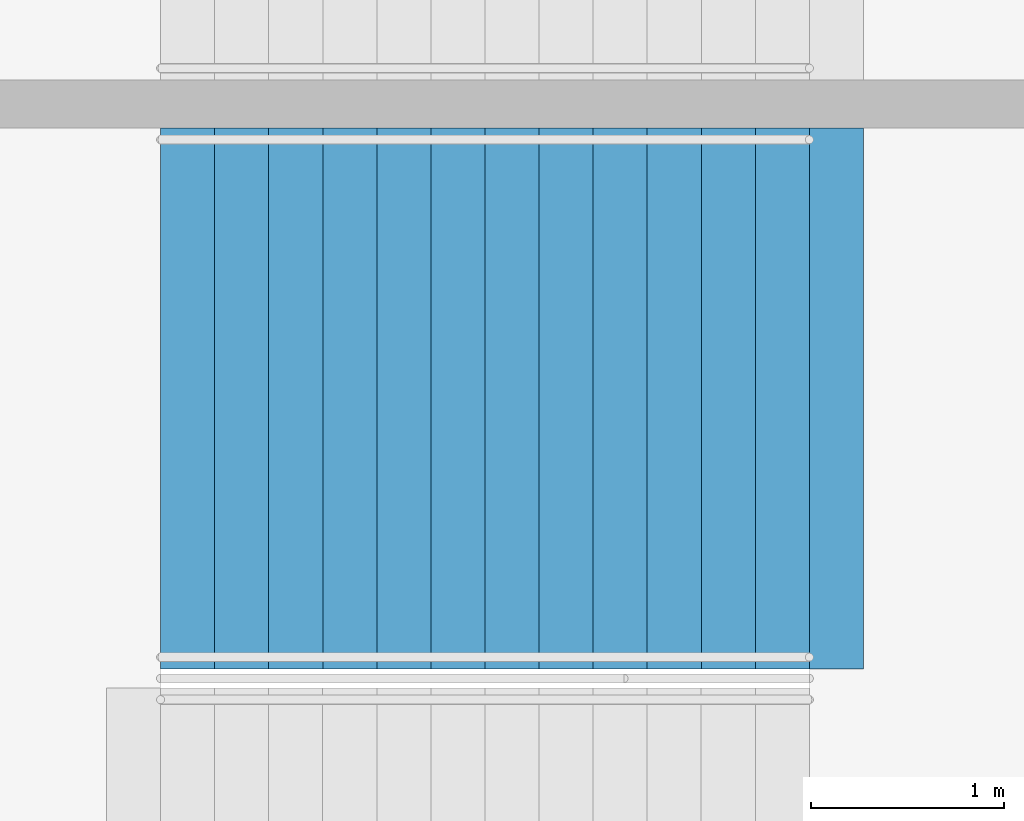
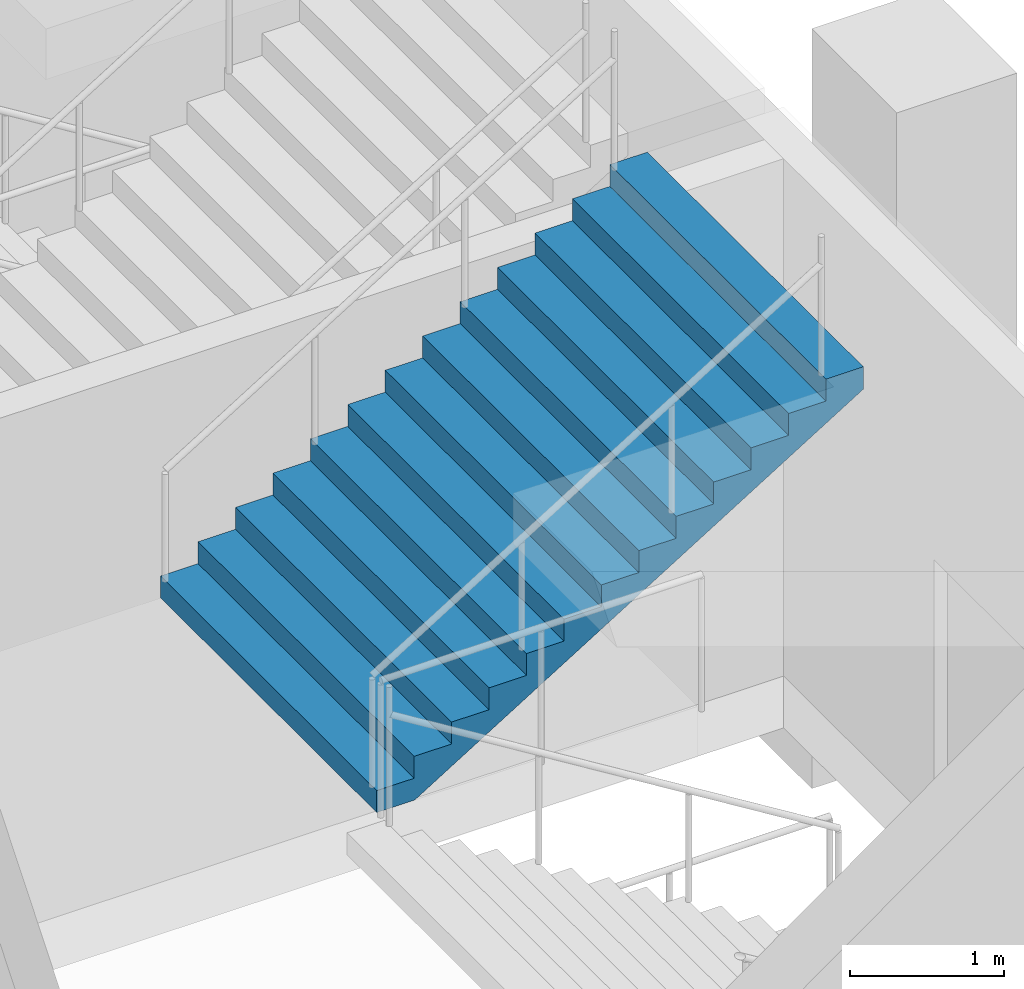
# One storey, part 95 of 177: 1 stair flight, 1 element without a shape of its own.
"""IFC4 building model written with IfcOpenShell, lengths in metres."""

from ifc_helpers import new_model, si_unit, direction, frame, origin, place, context, subcontext, project, spatial, faceted_brep, material, type_object, element, aggregate, save


model = new_model("IFC4")

# Units and contexts
model_context = context("Model", 3, precision=1e-05, world=origin(), true_north=direction((0.0, 1.0)))
body_context = subcontext(model_context, "Body", "Model", "MODEL_VIEW")
ifc_project = project(units=[si_unit("LENGTHUNIT", "METRE"), si_unit("AREAUNIT", "SQUARE_METRE"), si_unit("VOLUMEUNIT", "CUBIC_METRE"), si_unit("PLANEANGLEUNIT", "RADIAN"), si_unit("MASSUNIT", "GRAM", prefix="KILO")], contexts=[model_context])

# Site, building, storey
site_placement = place(None, origin())
site = spatial("IfcSite", under=ifc_project, at=site_placement, CompositionType="ELEMENT")
building_placement = place(site_placement, origin())
building = spatial("IfcBuilding", under=site, at=building_placement, Name="Ogive Plaza Stadium", CompositionType="ELEMENT")
storey_placement = place(building_placement, frame((0.0, 0.0, 18.0)))
storey = spatial("IfcBuildingStorey", under=building, at=storey_placement, Name="L04", CompositionType="ELEMENT", Elevation=18.0)

# Stair, stair flight
ifc_material_1 = material(Name="Concrete C40/50", Category="concrete")
stair_type = type_object("IfcStairType", Name="Exit stair", PredefinedType="STRAIGHT_RUN_STAIR", material=ifc_material_1)
stair_placement = place(storey_placement, origin())
stair = element("IfcStair", 1, at=stair_placement, inside=storey, type_object=stair_type, Name="Exit stair ST22B L04 to L05", PredefinedType="STRAIGHT_RUN_STAIR")
ifc_material_2 = material(Name="Concrete C40/50", Category="concrete")
stair_flight_type = type_object("IfcStairFlightType", Name="Exit stair flight", PredefinedType="STRAIGHT", material=ifc_material_2)
stair_flight_placement = place(storey_placement, frame((-79.7099609375, -39.02490234375, 2.25), z_axis=(0.0, 0.0, 1.0), x_axis=(1.0, 0.0, 0.0)))
stair_flight = element("IfcStairFlight", 2, at=stair_flight_placement, type_object=stair_flight_type, Name="ST22B flight 2", NumberOfRisers=13, NumberOfTreads=12, PredefinedType="STRAIGHT", RiserHeight=0.173076923, TreadLength=0.28, context=body_context, shape_type="Brep", body=[
    faceted_brep([(0.28515625, -1.39990234375, 0.0), (3.639892578125, -1.39990234375, 2.07373046875), (3.639892578125, -1.39990234375, 2.25), (3.360107421875, -1.39990234375, 2.25), (3.360107421875, -1.39990234375, 2.076904296875), (3.080078125, -1.39990234375, 2.076904296875), (3.080078125, -1.39990234375, 1.90380859375), (2.800048828125, -1.39990234375, 1.90380859375), (2.800048828125, -1.39990234375, 1.730712890625), (2.52001953125, -1.39990234375, 1.730712890625), (2.52001953125, -1.39990234375, 1.5576171875), (2.239990234375, -1.39990234375, 1.5576171875), (2.239990234375, -1.39990234375, 1.384521484375), (1.9599609375, -1.39990234375, 1.384521484375), (1.9599609375, -1.39990234375, 1.21142578125), (1.679931640625, -1.39990234375, 1.21142578125), (1.679931640625, -1.39990234375, 1.03857421875), (1.39990234375, -1.39990234375, 1.03857421875), (1.39990234375, -1.39990234375, 0.865478515625), (1.1201171875, -1.39990234375, 0.865478515625), (1.1201171875, -1.39990234375, 0.6923828125), (0.840087890625, -1.39990234375, 0.6923828125), (0.840087890625, -1.39990234375, 0.519287109375), (0.56005859375, -1.39990234375, 0.519287109375), (0.56005859375, -1.39990234375, 0.34619140625), (0.280029296875, -1.39990234375, 0.34619140625), (0.280029296875, -1.39990234375, 0.173095703125), (0.0, -1.39990234375, 0.173095703125), (0.0, -1.39990234375, 0.0), (0.0, 1.39990234375, 0.0), (0.0, 1.39990234375, 0.173095703125), (0.280029296875, 1.39990234375, 0.173095703125), (0.280029296875, 1.39990234375, 0.34619140625), (0.56005859375, 1.39990234375, 0.34619140625), (0.56005859375, 1.39990234375, 0.519287109375), (0.840087890625, 1.39990234375, 0.519287109375), (0.840087890625, 1.39990234375, 0.6923828125), (1.1201171875, 1.39990234375, 0.6923828125), (1.1201171875, 1.39990234375, 0.865478515625), (1.39990234375, 1.39990234375, 0.865478515625), (1.39990234375, 1.39990234375, 1.03857421875), (1.679931640625, 1.39990234375, 1.03857421875), (1.679931640625, 1.39990234375, 1.21142578125), (1.9599609375, 1.39990234375, 1.21142578125), (1.9599609375, 1.39990234375, 1.384521484375), (2.239990234375, 1.39990234375, 1.384521484375), (2.239990234375, 1.39990234375, 1.5576171875), (2.52001953125, 1.39990234375, 1.5576171875), (2.52001953125, 1.39990234375, 1.730712890625), (2.800048828125, 1.39990234375, 1.730712890625), (2.800048828125, 1.39990234375, 1.90380859375), (3.080078125, 1.39990234375, 1.90380859375), (3.080078125, 1.39990234375, 2.076904296875), (3.360107421875, 1.39990234375, 2.076904296875), (3.360107421875, 1.39990234375, 2.25), (3.639892578125, 1.39990234375, 2.25), (3.639892578125, 1.39990234375, 2.07373046875), (0.28515625, 1.39990234375, 0.0), (0.28515625, -1.0888671875, 0.0), (3.639892578125, -1.0888671875, 2.07373046875), (0.28515625, -0.77783203125, 0.0), (3.639892578125, -0.77783203125, 2.07373046875), (0.28515625, -0.466796875, 0.0), (3.639892578125, -0.466796875, 2.07373046875), (0.28515625, -0.155517578125, 0.0), (3.639892578125, -0.155517578125, 2.07373046875), (0.28515625, 0.155517578125, 0.0), (3.639892578125, 0.155517578125, 2.07373046875), (0.28515625, 0.466796875, 0.0), (3.639892578125, 0.466796875, 2.07373046875), (0.28515625, 0.77783203125, 0.0), (3.639892578125, 0.77783203125, 2.07373046875), (0.28515625, 1.0888671875, 0.0), (3.639892578125, 1.0888671875, 2.07373046875), (3.639892578125, -1.0888671875, 2.25), (3.639892578125, -0.77783203125, 2.25), (3.639892578125, -0.466796875, 2.25), (3.639892578125, -0.155517578125, 2.25), (3.639892578125, 0.155517578125, 2.25), (3.639892578125, 0.466796875, 2.25), (3.639892578125, 0.77783203125, 2.25), (3.639892578125, 1.0888671875, 2.25), (3.360107421875, -1.0888671875, 2.25), (3.360107421875, -0.77783203125, 2.25), (3.360107421875, -0.466796875, 2.25), (3.360107421875, -0.155517578125, 2.25), (3.360107421875, 0.155517578125, 2.25), (3.360107421875, 0.466796875, 2.25), (3.360107421875, 0.77783203125, 2.25), (3.360107421875, 1.0888671875, 2.25), (3.360107421875, -1.0888671875, 2.076904296875), (3.360107421875, -0.77783203125, 2.076904296875), (3.360107421875, -0.466796875, 2.076904296875), (3.360107421875, -0.155517578125, 2.076904296875), (3.360107421875, 0.155517578125, 2.076904296875), (3.360107421875, 0.466796875, 2.076904296875), (3.360107421875, 0.77783203125, 2.076904296875), (3.360107421875, 1.0888671875, 2.076904296875), (3.080078125, -1.0888671875, 2.076904296875), (3.080078125, -0.77783203125, 2.076904296875), (3.080078125, -0.466796875, 2.076904296875), (3.080078125, -0.155517578125, 2.076904296875), (3.080078125, 0.155517578125, 2.076904296875), (3.080078125, 0.466796875, 2.076904296875), (3.080078125, 0.77783203125, 2.076904296875), (3.080078125, 1.0888671875, 2.076904296875), (3.080078125, -1.0888671875, 1.90380859375), (3.080078125, -0.77783203125, 1.90380859375), (3.080078125, -0.466796875, 1.90380859375), (3.080078125, -0.155517578125, 1.90380859375), (3.080078125, 0.155517578125, 1.90380859375), (3.080078125, 0.466796875, 1.90380859375), (3.080078125, 0.77783203125, 1.90380859375), (3.080078125, 1.0888671875, 1.90380859375), (2.800048828125, -1.0888671875, 1.90380859375), (2.800048828125, -0.77783203125, 1.90380859375), (2.800048828125, -0.466796875, 1.90380859375), (2.800048828125, -0.155517578125, 1.90380859375), (2.800048828125, 0.155517578125, 1.90380859375), (2.800048828125, 0.466796875, 1.90380859375), (2.800048828125, 0.77783203125, 1.90380859375), (2.800048828125, 1.0888671875, 1.90380859375), (2.800048828125, -1.0888671875, 1.730712890625), (2.800048828125, -0.77783203125, 1.730712890625), (2.800048828125, -0.466796875, 1.730712890625), (2.800048828125, -0.155517578125, 1.730712890625), (2.800048828125, 0.155517578125, 1.730712890625), (2.800048828125, 0.466796875, 1.730712890625), (2.800048828125, 0.77783203125, 1.730712890625), (2.800048828125, 1.0888671875, 1.730712890625), (2.52001953125, -1.0888671875, 1.730712890625), (2.52001953125, -0.77783203125, 1.730712890625), (2.52001953125, -0.466796875, 1.730712890625), (2.52001953125, -0.155517578125, 1.730712890625), (2.52001953125, 0.155517578125, 1.730712890625), (2.52001953125, 0.466796875, 1.730712890625), (2.52001953125, 0.77783203125, 1.730712890625), (2.52001953125, 1.0888671875, 1.730712890625), (2.52001953125, -1.0888671875, 1.5576171875), (2.52001953125, -0.77783203125, 1.5576171875), (2.52001953125, -0.466796875, 1.5576171875), (2.52001953125, -0.155517578125, 1.5576171875), (2.52001953125, 0.155517578125, 1.5576171875), (2.52001953125, 0.466796875, 1.5576171875), (2.52001953125, 0.77783203125, 1.5576171875), (2.52001953125, 1.0888671875, 1.5576171875), (2.239990234375, -1.0888671875, 1.5576171875), (2.239990234375, -0.77783203125, 1.5576171875), (2.239990234375, -0.466796875, 1.5576171875), (2.239990234375, -0.155517578125, 1.5576171875), (2.239990234375, 0.155517578125, 1.5576171875), (2.239990234375, 0.466796875, 1.5576171875), (2.239990234375, 0.77783203125, 1.5576171875), (2.239990234375, 1.0888671875, 1.5576171875), (2.239990234375, -1.0888671875, 1.384521484375), (2.239990234375, -0.77783203125, 1.384521484375), (2.239990234375, -0.466796875, 1.384521484375), (2.239990234375, -0.155517578125, 1.384521484375), (2.239990234375, 0.155517578125, 1.384521484375), (2.239990234375, 0.466796875, 1.384521484375), (2.239990234375, 0.77783203125, 1.384521484375), (2.239990234375, 1.0888671875, 1.384521484375), (1.9599609375, -1.0888671875, 1.384521484375), (1.9599609375, -0.77783203125, 1.384521484375), (1.9599609375, -0.466796875, 1.384521484375), (1.9599609375, -0.155517578125, 1.384521484375), (1.9599609375, 0.155517578125, 1.384521484375), (1.9599609375, 0.466796875, 1.384521484375), (1.9599609375, 0.77783203125, 1.384521484375), (1.9599609375, 1.0888671875, 1.384521484375), (1.9599609375, -1.0888671875, 1.21142578125), (1.9599609375, -0.77783203125, 1.21142578125), (1.9599609375, -0.466796875, 1.21142578125), (1.9599609375, -0.155517578125, 1.21142578125), (1.9599609375, 0.155517578125, 1.21142578125), (1.9599609375, 0.466796875, 1.21142578125), (1.9599609375, 0.77783203125, 1.21142578125), (1.9599609375, 1.0888671875, 1.21142578125), (1.679931640625, -1.0888671875, 1.21142578125), (1.679931640625, -0.77783203125, 1.21142578125), (1.679931640625, -0.466796875, 1.21142578125), (1.679931640625, -0.155517578125, 1.21142578125), (1.679931640625, 0.155517578125, 1.21142578125), (1.679931640625, 0.466796875, 1.21142578125), (1.679931640625, 0.77783203125, 1.21142578125), (1.679931640625, 1.0888671875, 1.21142578125), (1.679931640625, -1.0888671875, 1.03857421875), (1.679931640625, -0.77783203125, 1.03857421875), (1.679931640625, -0.466796875, 1.03857421875), (1.679931640625, -0.155517578125, 1.03857421875), (1.679931640625, 0.155517578125, 1.03857421875), (1.679931640625, 0.466796875, 1.03857421875), (1.679931640625, 0.77783203125, 1.03857421875), (1.679931640625, 1.0888671875, 1.03857421875), (1.39990234375, -1.0888671875, 1.03857421875), (1.39990234375, -0.77783203125, 1.03857421875), (1.39990234375, -0.466796875, 1.03857421875), (1.39990234375, -0.155517578125, 1.03857421875), (1.39990234375, 0.155517578125, 1.03857421875), (1.39990234375, 0.466796875, 1.03857421875), (1.39990234375, 0.77783203125, 1.03857421875), (1.39990234375, 1.0888671875, 1.03857421875), (1.39990234375, -1.0888671875, 0.865478515625), (1.39990234375, -0.77783203125, 0.865478515625), (1.39990234375, -0.466796875, 0.865478515625), (1.39990234375, -0.155517578125, 0.865478515625), (1.39990234375, 0.155517578125, 0.865478515625), (1.39990234375, 0.466796875, 0.865478515625), (1.39990234375, 0.77783203125, 0.865478515625), (1.39990234375, 1.0888671875, 0.865478515625), (1.1201171875, -1.0888671875, 0.865478515625), (1.1201171875, -0.77783203125, 0.865478515625), (1.1201171875, -0.466796875, 0.865478515625), (1.1201171875, -0.155517578125, 0.865478515625), (1.1201171875, 0.155517578125, 0.865478515625), (1.1201171875, 0.466796875, 0.865478515625), (1.1201171875, 0.77783203125, 0.865478515625), (1.1201171875, 1.0888671875, 0.865478515625), (1.1201171875, -1.0888671875, 0.6923828125), (1.1201171875, -0.77783203125, 0.6923828125), (1.1201171875, -0.466796875, 0.6923828125), (1.1201171875, -0.155517578125, 0.6923828125), (1.1201171875, 0.155517578125, 0.6923828125), (1.1201171875, 0.466796875, 0.6923828125), (1.1201171875, 0.77783203125, 0.6923828125), (1.1201171875, 1.0888671875, 0.6923828125), (0.840087890625, -1.0888671875, 0.6923828125), (0.840087890625, -0.77783203125, 0.6923828125), (0.840087890625, -0.466796875, 0.6923828125), (0.840087890625, -0.155517578125, 0.6923828125), (0.840087890625, 0.155517578125, 0.6923828125), (0.840087890625, 0.466796875, 0.6923828125), (0.840087890625, 0.77783203125, 0.6923828125), (0.840087890625, 1.0888671875, 0.6923828125), (0.840087890625, -1.0888671875, 0.519287109375), (0.840087890625, -0.77783203125, 0.519287109375), (0.840087890625, -0.466796875, 0.519287109375), (0.840087890625, -0.155517578125, 0.519287109375), (0.840087890625, 0.155517578125, 0.519287109375), (0.840087890625, 0.466796875, 0.519287109375), (0.840087890625, 0.77783203125, 0.519287109375), (0.840087890625, 1.0888671875, 0.519287109375), (0.56005859375, -1.0888671875, 0.519287109375), (0.56005859375, -0.77783203125, 0.519287109375), (0.56005859375, -0.466796875, 0.519287109375), (0.56005859375, -0.155517578125, 0.519287109375), (0.56005859375, 0.155517578125, 0.519287109375), (0.56005859375, 0.466796875, 0.519287109375), (0.56005859375, 0.77783203125, 0.519287109375), (0.56005859375, 1.0888671875, 0.519287109375), (0.56005859375, -1.0888671875, 0.34619140625), (0.56005859375, -0.77783203125, 0.34619140625), (0.56005859375, -0.466796875, 0.34619140625), (0.56005859375, -0.155517578125, 0.34619140625), (0.56005859375, 0.155517578125, 0.34619140625), (0.56005859375, 0.466796875, 0.34619140625), (0.56005859375, 0.77783203125, 0.34619140625), (0.56005859375, 1.0888671875, 0.34619140625), (0.280029296875, -1.0888671875, 0.34619140625), (0.280029296875, -0.77783203125, 0.34619140625), (0.280029296875, -0.466796875, 0.34619140625), (0.280029296875, -0.155517578125, 0.34619140625), (0.280029296875, 0.155517578125, 0.34619140625), (0.280029296875, 0.466796875, 0.34619140625), (0.280029296875, 0.77783203125, 0.34619140625), (0.280029296875, 1.0888671875, 0.34619140625), (0.280029296875, -1.0888671875, 0.173095703125), (0.280029296875, -0.77783203125, 0.173095703125), (0.280029296875, -0.466796875, 0.173095703125), (0.280029296875, -0.155517578125, 0.173095703125), (0.280029296875, 0.155517578125, 0.173095703125), (0.280029296875, 0.466796875, 0.173095703125), (0.280029296875, 0.77783203125, 0.173095703125), (0.280029296875, 1.0888671875, 0.173095703125), (0.0, -1.0888671875, 0.173095703125), (0.0, -0.77783203125, 0.173095703125), (0.0, -0.466796875, 0.173095703125), (0.0, -0.155517578125, 0.173095703125), (0.0, 0.155517578125, 0.173095703125), (0.0, 0.466796875, 0.173095703125), (0.0, 0.77783203125, 0.173095703125), (0.0, 1.0888671875, 0.173095703125), (0.0, -1.0888671875, 0.0), (0.0, -0.77783203125, 0.0), (0.0, -0.466796875, 0.0), (0.0, -0.155517578125, 0.0), (0.0, 0.155517578125, 0.0), (0.0, 0.466796875, 0.0), (0.0, 0.77783203125, 0.0), (0.0, 1.0888671875, 0.0)], [[[0, 1, 2, 3, 4, 5, 6, 7, 8, 9, 10, 11, 12, 13, 14, 15, 16, 17, 18, 19, 20, 21, 22, 23, 24, 25, 26, 27, 28]], [[29, 30, 31, 32, 33, 34, 35, 36, 37, 38, 39, 40, 41, 42, 43, 44, 45, 46, 47, 48, 49, 50, 51, 52, 53, 54, 55, 56, 57]], [[0, 58, 59, 1]], [[58, 60, 61, 59]], [[60, 62, 63, 61]], [[62, 64, 65, 63]], [[64, 66, 67, 65]], [[66, 68, 69, 67]], [[68, 70, 71, 69]], [[70, 72, 73, 71]], [[72, 57, 56, 73]], [[1, 59, 74, 2]], [[59, 61, 75, 74]], [[61, 63, 76, 75]], [[63, 65, 77, 76]], [[65, 67, 78, 77]], [[67, 69, 79, 78]], [[69, 71, 80, 79]], [[71, 73, 81, 80]], [[73, 56, 55, 81]], [[2, 74, 82, 3]], [[74, 75, 83, 82]], [[75, 76, 84, 83]], [[76, 77, 85, 84]], [[77, 78, 86, 85]], [[78, 79, 87, 86]], [[79, 80, 88, 87]], [[80, 81, 89, 88]], [[81, 55, 54, 89]], [[3, 82, 90, 4]], [[82, 83, 91, 90]], [[83, 84, 92, 91]], [[84, 85, 93, 92]], [[85, 86, 94, 93]], [[86, 87, 95, 94]], [[87, 88, 96, 95]], [[88, 89, 97, 96]], [[89, 54, 53, 97]], [[4, 90, 98, 5]], [[90, 91, 99, 98]], [[91, 92, 100, 99]], [[92, 93, 101, 100]], [[93, 94, 102, 101]], [[94, 95, 103, 102]], [[95, 96, 104, 103]], [[96, 97, 105, 104]], [[97, 53, 52, 105]], [[5, 98, 106, 6]], [[98, 99, 107, 106]], [[99, 100, 108, 107]], [[100, 101, 109, 108]], [[101, 102, 110, 109]], [[102, 103, 111, 110]], [[103, 104, 112, 111]], [[104, 105, 113, 112]], [[105, 52, 51, 113]], [[6, 106, 114, 7]], [[106, 107, 115, 114]], [[107, 108, 116, 115]], [[108, 109, 117, 116]], [[109, 110, 118, 117]], [[110, 111, 119, 118]], [[111, 112, 120, 119]], [[112, 113, 121, 120]], [[113, 51, 50, 121]], [[7, 114, 122, 8]], [[114, 115, 123, 122]], [[115, 116, 124, 123]], [[116, 117, 125, 124]], [[117, 118, 126, 125]], [[118, 119, 127, 126]], [[119, 120, 128, 127]], [[120, 121, 129, 128]], [[121, 50, 49, 129]], [[8, 122, 130, 9]], [[122, 123, 131, 130]], [[123, 124, 132, 131]], [[124, 125, 133, 132]], [[125, 126, 134, 133]], [[126, 127, 135, 134]], [[127, 128, 136, 135]], [[128, 129, 137, 136]], [[129, 49, 48, 137]], [[9, 130, 138, 10]], [[130, 131, 139, 138]], [[131, 132, 140, 139]], [[132, 133, 141, 140]], [[133, 134, 142, 141]], [[134, 135, 143, 142]], [[135, 136, 144, 143]], [[136, 137, 145, 144]], [[137, 48, 47, 145]], [[10, 138, 146, 11]], [[138, 139, 147, 146]], [[139, 140, 148, 147]], [[140, 141, 149, 148]], [[141, 142, 150, 149]], [[142, 143, 151, 150]], [[143, 144, 152, 151]], [[144, 145, 153, 152]], [[145, 47, 46, 153]], [[11, 146, 154, 12]], [[146, 147, 155, 154]], [[147, 148, 156, 155]], [[148, 149, 157, 156]], [[149, 150, 158, 157]], [[150, 151, 159, 158]], [[151, 152, 160, 159]], [[152, 153, 161, 160]], [[153, 46, 45, 161]], [[12, 154, 162, 13]], [[154, 155, 163, 162]], [[155, 156, 164, 163]], [[156, 157, 165, 164]], [[157, 158, 166, 165]], [[158, 159, 167, 166]], [[159, 160, 168, 167]], [[160, 161, 169, 168]], [[161, 45, 44, 169]], [[13, 162, 170, 14]], [[162, 163, 171, 170]], [[163, 164, 172, 171]], [[164, 165, 173, 172]], [[165, 166, 174, 173]], [[166, 167, 175, 174]], [[167, 168, 176, 175]], [[168, 169, 177, 176]], [[169, 44, 43, 177]], [[14, 170, 178, 15]], [[170, 171, 179, 178]], [[171, 172, 180, 179]], [[172, 173, 181, 180]], [[173, 174, 182, 181]], [[174, 175, 183, 182]], [[175, 176, 184, 183]], [[176, 177, 185, 184]], [[177, 43, 42, 185]], [[15, 178, 186, 16]], [[178, 179, 187, 186]], [[179, 180, 188, 187]], [[180, 181, 189, 188]], [[181, 182, 190, 189]], [[182, 183, 191, 190]], [[183, 184, 192, 191]], [[184, 185, 193, 192]], [[185, 42, 41, 193]], [[16, 186, 194, 17]], [[186, 187, 195, 194]], [[187, 188, 196, 195]], [[188, 189, 197, 196]], [[189, 190, 198, 197]], [[190, 191, 199, 198]], [[191, 192, 200, 199]], [[192, 193, 201, 200]], [[193, 41, 40, 201]], [[17, 194, 202, 18]], [[194, 195, 203, 202]], [[195, 196, 204, 203]], [[196, 197, 205, 204]], [[197, 198, 206, 205]], [[198, 199, 207, 206]], [[199, 200, 208, 207]], [[200, 201, 209, 208]], [[201, 40, 39, 209]], [[18, 202, 210, 19]], [[202, 203, 211, 210]], [[203, 204, 212, 211]], [[204, 205, 213, 212]], [[205, 206, 214, 213]], [[206, 207, 215, 214]], [[207, 208, 216, 215]], [[208, 209, 217, 216]], [[209, 39, 38, 217]], [[19, 210, 218, 20]], [[210, 211, 219, 218]], [[211, 212, 220, 219]], [[212, 213, 221, 220]], [[213, 214, 222, 221]], [[214, 215, 223, 222]], [[215, 216, 224, 223]], [[216, 217, 225, 224]], [[217, 38, 37, 225]], [[20, 218, 226, 21]], [[218, 219, 227, 226]], [[219, 220, 228, 227]], [[220, 221, 229, 228]], [[221, 222, 230, 229]], [[222, 223, 231, 230]], [[223, 224, 232, 231]], [[224, 225, 233, 232]], [[225, 37, 36, 233]], [[21, 226, 234, 22]], [[226, 227, 235, 234]], [[227, 228, 236, 235]], [[228, 229, 237, 236]], [[229, 230, 238, 237]], [[230, 231, 239, 238]], [[231, 232, 240, 239]], [[232, 233, 241, 240]], [[233, 36, 35, 241]], [[22, 234, 242, 23]], [[234, 235, 243, 242]], [[235, 236, 244, 243]], [[236, 237, 245, 244]], [[237, 238, 246, 245]], [[238, 239, 247, 246]], [[239, 240, 248, 247]], [[240, 241, 249, 248]], [[241, 35, 34, 249]], [[23, 242, 250, 24]], [[242, 243, 251, 250]], [[243, 244, 252, 251]], [[244, 245, 253, 252]], [[245, 246, 254, 253]], [[246, 247, 255, 254]], [[247, 248, 256, 255]], [[248, 249, 257, 256]], [[249, 34, 33, 257]], [[24, 250, 258, 25]], [[250, 251, 259, 258]], [[251, 252, 260, 259]], [[252, 253, 261, 260]], [[253, 254, 262, 261]], [[254, 255, 263, 262]], [[255, 256, 264, 263]], [[256, 257, 265, 264]], [[257, 33, 32, 265]], [[25, 258, 266, 26]], [[258, 259, 267, 266]], [[259, 260, 268, 267]], [[260, 261, 269, 268]], [[261, 262, 270, 269]], [[262, 263, 271, 270]], [[263, 264, 272, 271]], [[264, 265, 273, 272]], [[265, 32, 31, 273]], [[26, 266, 274, 27]], [[266, 267, 275, 274]], [[267, 268, 276, 275]], [[268, 269, 277, 276]], [[269, 270, 278, 277]], [[270, 271, 279, 278]], [[271, 272, 280, 279]], [[272, 273, 281, 280]], [[273, 31, 30, 281]], [[27, 274, 282, 28]], [[274, 275, 283, 282]], [[275, 276, 284, 283]], [[276, 277, 285, 284]], [[277, 278, 286, 285]], [[278, 279, 287, 286]], [[279, 280, 288, 287]], [[280, 281, 289, 288]], [[281, 30, 29, 289]], [[28, 282, 58, 0]], [[282, 283, 60, 58]], [[283, 284, 62, 60]], [[284, 285, 64, 62]], [[285, 286, 66, 64]], [[286, 287, 68, 66]], [[287, 288, 70, 68]], [[288, 289, 72, 70]], [[289, 29, 57, 72]]]),
])
aggregate(stair, [stair_flight])

save(model, "model.ifc")
